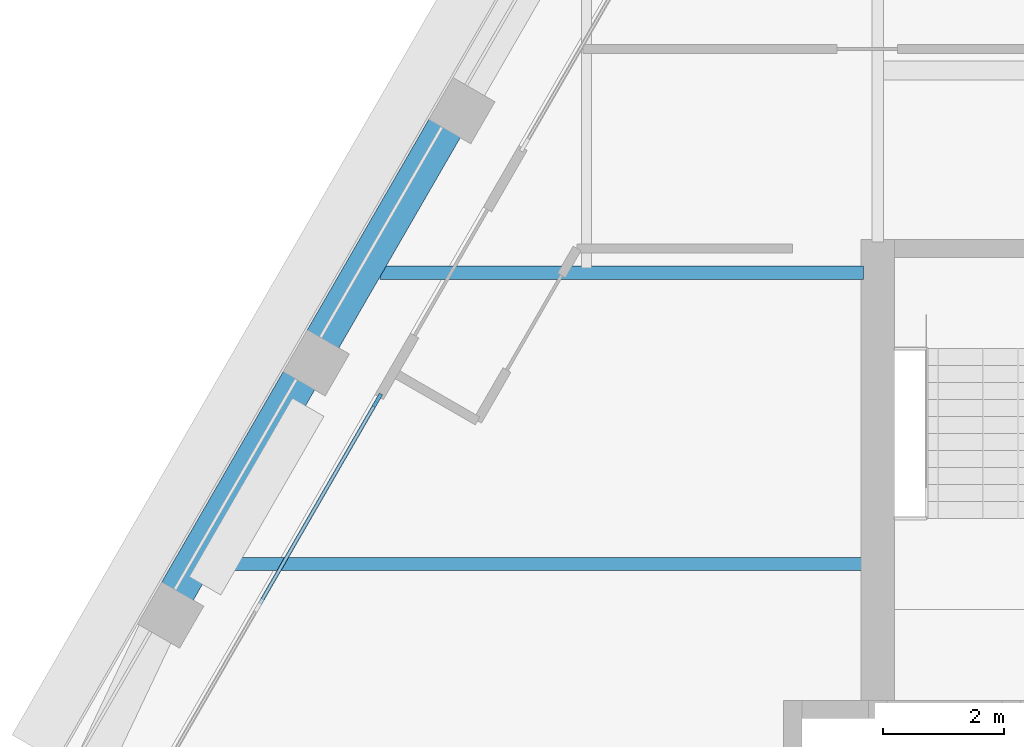
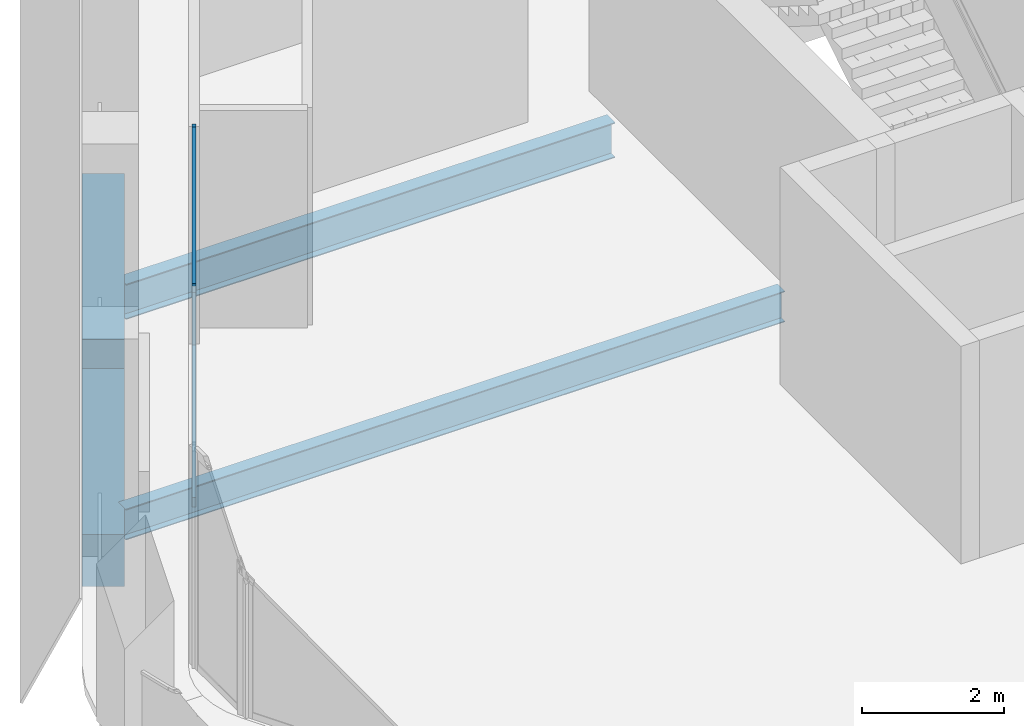
# One storey, part 3 of 16: 4 beams, 3 members, 1 element without a shape of its own.
"""IFC4 building model written with IfcOpenShell, lengths in metres."""

from ifc_helpers import new_model, si_unit, direction, frame, origin, origin_2d, place, context, subcontext, project, spatial, rectangle, i_section, extrude, material, material_profile, profile_set, type_object, element, aggregate, save


model = new_model("IFC4")

# Units and contexts
model_context = context("Model", 3, precision=1e-05, world=origin(), true_north=direction((0.0, 1.0)))
body_context = subcontext(model_context, "Body", "Model", "MODEL_VIEW")
ifc_project = project(units=[si_unit("LENGTHUNIT", "METRE"), si_unit("AREAUNIT", "SQUARE_METRE"), si_unit("VOLUMEUNIT", "CUBIC_METRE"), si_unit("PLANEANGLEUNIT", "RADIAN"), si_unit("MASSUNIT", "GRAM", prefix="KILO")], contexts=[model_context])

# Site, building, storey
site_placement = place(None, origin())
site = spatial("IfcSite", under=ifc_project, at=site_placement, CompositionType="ELEMENT")
building_placement = place(site_placement, origin())
building = spatial("IfcBuilding", under=site, at=building_placement, Name="Kolab Exchange Tower", CompositionType="ELEMENT")
storey_placement = place(building_placement, frame((0.0, 0.0, 269.60009765625)))
storey = spatial("IfcBuildingStorey", under=building, at=storey_placement, Name="L60", CompositionType="ELEMENT", Elevation=269.60009765625)

# Beams
ifc_material_1 = material(Name="Steel S355", Category="steel")
ifc_material_profile_1 = material_profile(ifc_material_1, i_section(OverallWidth=0.208984375, OverallDepth=0.532958984375, WebThickness=0.01025390625, FlangeThickness=0.015625, at=origin_2d()), Name="W530X92")
ifc_profile_set_1 = profile_set([ifc_material_profile_1], Name="Steel S355")
beam_type_1 = type_object("IfcBeamType", Name="FLOOR BEAM W530X92", PredefinedType="BEAM", material=ifc_profile_set_1)
beam_1_placement = place(storey_placement, frame((-20.575927734375, 4.800048828125, -0.41650390625), z_axis=(1.0, 0.0, 0.0), x_axis=(0.0, 1.0, 0.0)))
element("IfcBeam", 1, at=beam_1_placement, inside=storey, type_object=beam_type_1, Name="beam/L60/fr/002", PredefinedType="BEAM", context=body_context, shape_type="SweptSolid", body=[
    extrude(i_section(OverallWidth=0.208984375, OverallDepth=0.532958984375, WebThickness=0.01025390625, FlangeThickness=0.015625, at=origin_2d()), origin(), (0.0, 0.0, 1.0), 10.740966796875),
])
ifc_material_profile_2 = material_profile(ifc_material_1, i_section(OverallWidth=0.22802734375, OverallDepth=0.60791015625, WebThickness=0.01123046875, FlangeThickness=0.017333984375, at=origin_2d()), Name="W610X113")
ifc_profile_set_2 = profile_set([ifc_material_profile_2], Name="Steel S355")
beam_type_2 = type_object("IfcBeamType", Name="FLOOR GIRDER W610X113", PredefinedType="BEAM", material=ifc_profile_set_2)
beam_2_placement = place(storey_placement, frame((-17.8046875, 9.60009765625, -0.4541015625), z_axis=(1.0, 0.0, 0.0), x_axis=(0.0, 1.0, 0.0)))
element("IfcBeam", 2, at=beam_2_placement, inside=storey, type_object=beam_type_2, Name="beam/L60/gd/001", PredefinedType="BEAM", context=body_context, shape_type="SweptSolid", body=[
    extrude(i_section(OverallWidth=0.22802734375, OverallDepth=0.60791015625, WebThickness=0.01123046875, FlangeThickness=0.017333984375, at=origin_2d()), origin(), (0.0, 0.0, 1.0), 7.9697265625),
])
ifc_material_2 = material(Name="Concrete C50/60", Category="concrete")
ifc_material_profile_3 = material_profile(ifc_material_2, rectangle(XDim=0.60009765625, YDim=0.89990234375, at=origin_2d()), Name="RC600X900")
ifc_profile_set_3 = profile_set([ifc_material_profile_3], Name="Concrete C50/60")
beam_type_3 = type_object("IfcBeamType", Name="SPANDREL BEAM 600X900 C50/60", PredefinedType="BEAM", material=ifc_profile_set_3)
for number, where, z_axis, x_axis, name in (
    (3, (-21.16015625, 4.318603515625, -0.60009765625), (0.500000428765, 0.866025156237, 0.0), (-0.866025156237, 0.500000428765, 0.0), "beam/L60/sp/F6-02"),
    (4, (-18.76025390625, 8.4755859375, -0.60009765625), (0.500000428765, 0.866025156237, 0.0), (-0.866025156237, 0.500000428765, 0.0), "beam/L60/sp/F6-03"),
):
    element("IfcBeam", number, at=place(storey_placement, frame(where, z_axis=z_axis, x_axis=x_axis)), inside=storey, type_object=beam_type_3, Name=name, PredefinedType="BEAM", context=body_context, shape_type="SweptSolid", body=[
        extrude(rectangle(XDim=0.60009765625, YDim=0.89990234375, at=origin_2d()), origin(), (0.0, 0.0, 1.0), 4.080078125),
    ])

# Curtain wall, members
ifc_material_3 = material(Name="Aluminium EN AW-6063 T6", Category="aluminium")
curtain_wall_type = type_object("IfcCurtainWallType", Name="UNITISED HIGH ZONE CURTAIN WALL", PredefinedType="NOTDEFINED", material=ifc_material_3)
curtain_wall_placement = place(storey_placement, origin())
curtain_wall = element("IfcCurtainWall", 5, at=curtain_wall_placement, inside=storey, type_object=curtain_wall_type, Name="cw/L60/F6-1", PredefinedType="NOTDEFINED")
ifc_material_profile_4 = material_profile(ifc_material_3, rectangle(XDim=0.06005859375, YDim=0.239990234375, at=origin_2d()), Name="RECT 60X240")
ifc_profile_set_4 = profile_set([ifc_material_profile_4], Name="Aluminium EN AW-6063 T6")
member_type_1 = type_object("IfcMemberType", Name="UNITISED HIGH ZONE MULLION 60 X 240", PredefinedType="MULLION", material=ifc_profile_set_4)
member_1_placement = place(storey_placement, frame((-17.8466796875, 7.497802734375, 0.0), z_axis=(0.0, 0.0, 1.0), x_axis=(-0.866025440524, 0.499999936366, 0.0)))
member_1 = element("IfcMember", 6, at=member_1_placement, type_object=member_type_1, Name="CW4 mullion 3", PredefinedType="MULLION", context=body_context, shape_type="SweptSolid", body=[
    extrude(rectangle(XDim=0.06005859375, YDim=0.239990234375, at=origin_2d()), origin(), (0.0, 0.0, 1.0), 3.75),
])
ifc_material_profile_5 = material_profile(ifc_material_3, rectangle(XDim=0.06005859375, YDim=0.159912109375, at=origin_2d()), Name="RECT 60X160")
ifc_profile_set_5 = profile_set([ifc_material_profile_5], Name="Aluminium EN AW-6063 T6")
member_type_2 = type_object("IfcMemberType", Name="UNITISED HIGH ZONE TRANSOM 60 X 160", PredefinedType="USERDEFINED", material=ifc_profile_set_5)
member_2_placement = place(storey_placement, frame((-19.78369140625, 4.142822265625, 0.02978515625), z_axis=(0.500011990396, 0.866018481016, 0.0), x_axis=(-0.866018481016, 0.500011990396, 0.0)))
member_2 = element("IfcMember", 7, at=member_2_placement, type_object=member_type_2, Name="CW4 transom 2.1", ObjectType="TRANSOM", PredefinedType="USERDEFINED", context=body_context, shape_type="SweptSolid", body=[
    extrude(rectangle(XDim=0.06005859375, YDim=0.159912109375, at=origin_2d()), origin(), (0.0, 0.0, 1.0), 3.84423828125),
])
member_3_placement = place(storey_placement, frame((-19.78369140625, 4.142822265625, 3.719970703125), z_axis=(0.500011990396, 0.866018481016, 0.0), x_axis=(-0.866018481016, 0.500011990396, 0.0)))
member_3 = element("IfcMember", 8, at=member_3_placement, type_object=member_type_2, Name="CW4 transom 2.2", ObjectType="TRANSOM", PredefinedType="USERDEFINED", context=body_context, shape_type="SweptSolid", body=[
    extrude(rectangle(XDim=0.06005859375, YDim=0.159912109375, at=origin_2d()), origin(), (0.0, 0.0, 1.0), 3.84423828125),
])
aggregate(curtain_wall, [member_1, member_2, member_3])

save(model, "model.ifc")
